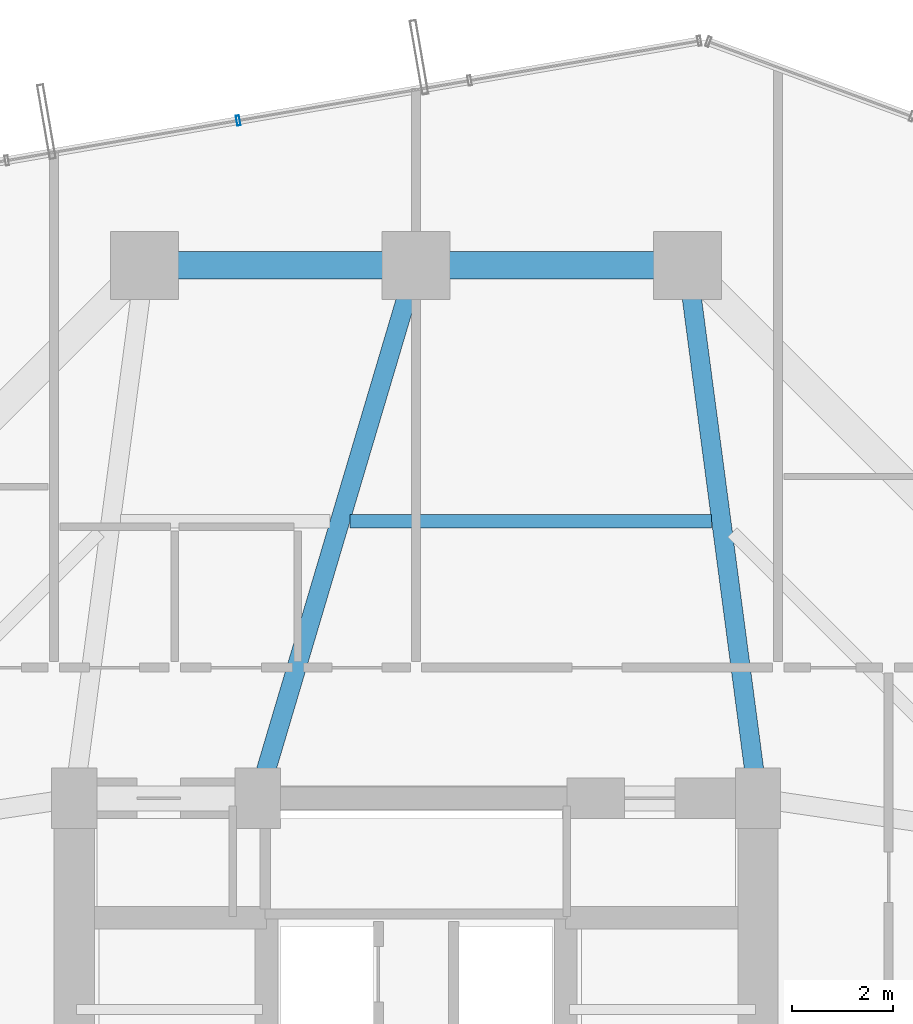
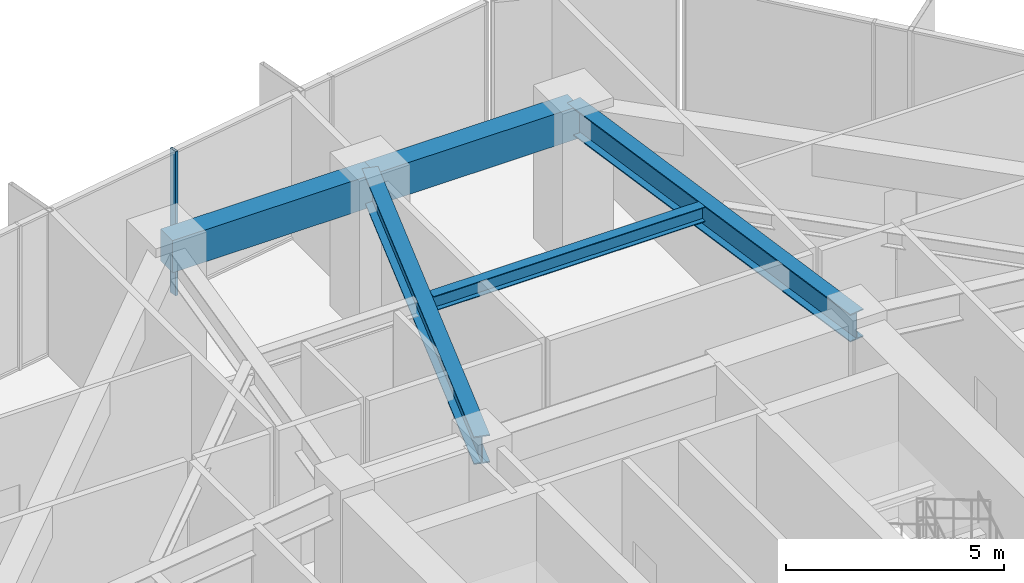
# One storey, part 23 of 35: 5 beams, 1 member, 1 element without a shape of its own.
"""IFC4 building model written with IfcOpenShell, lengths in metres."""

from ifc_helpers import new_model, si_unit, direction, frame, origin, origin_2d, place, context, subcontext, project, spatial, rectangle, hollow_rectangle, i_section, extrude, source, transform, mapped, material, layer, layer_set, material_profile, profile_set, type_object, element, aggregate, save


model = new_model("IFC4")

# Units and contexts
model_context = context("Model", 3, precision=1e-05, world=origin(), true_north=direction((0.0, 1.0)))
body_context = subcontext(model_context, "Body", "Model", "MODEL_VIEW")
ifc_project = project(units=[si_unit("LENGTHUNIT", "METRE"), si_unit("AREAUNIT", "SQUARE_METRE"), si_unit("VOLUMEUNIT", "CUBIC_METRE"), si_unit("PLANEANGLEUNIT", "RADIAN"), si_unit("MASSUNIT", "GRAM", prefix="KILO")], contexts=[model_context])

# Site, building, storey
site_placement = place(None, origin())
site = spatial("IfcSite", under=ifc_project, at=site_placement, CompositionType="ELEMENT")
building_placement = place(site_placement, origin())
building = spatial("IfcBuilding", under=site, at=building_placement, Name="Veraguas Prism Commons", CompositionType="ELEMENT")
storey_placement = place(building_placement, frame((0.0, 0.0, 56.550048828125)))
storey = spatial("IfcBuildingStorey", under=building, at=storey_placement, Name="L15", CompositionType="ELEMENT", Elevation=56.550048828125)

# Beams
ifc_material_1 = material(Name="Steel ASTM A992 Grade 50", Category="steel")
ifc_material_profile_1 = material_profile(ifc_material_1, i_section(OverallWidth=0.382080078125, OverallDepth=0.779052734375, WebThickness=0.01806640625, FlangeThickness=0.030029296875, at=origin_2d()), Name="W760X284")
ifc_profile_set_1 = profile_set([ifc_material_profile_1], Name="Steel ASTM A992 Grade 50")
beam_type_1 = type_object("IfcBeamType", Name="Assembly Primary Girder W760x284", PredefinedType="BEAM", material=ifc_profile_set_1)
beam_1_placement = place(storey_placement, frame((29.39990234375, 41.60009765625, 3.660400390625), z_axis=(0.130950648891, -0.991388888154, 0.0), x_axis=(0.991388888154, 0.130950648891, 0.0)))
element("IfcBeam", 1, at=beam_1_placement, inside=storey, type_object=beam_type_1, Name="Radial Floor Girder L15-RD04", PredefinedType="BEAM", context=body_context, shape_type="SweptSolid", body=[
    extrude(i_section(OverallWidth=0.382080078125, OverallDepth=0.779052734375, WebThickness=0.01806640625, FlangeThickness=0.030029296875, at=origin_2d()), origin(), (0.0, 0.0, 1.0), 10.692138671875),
])
beam_2_placement = place(storey_placement, frame((24.0, 41.60009765625, 3.660400390625), z_axis=(-0.28484745997, -0.958572858237, 0.0), x_axis=(0.958572858237, -0.28484745997, 0.0)))
element("IfcBeam", 2, at=beam_2_placement, inside=storey, type_object=beam_type_1, Name="Radial Floor Girder L15-RD05", PredefinedType="BEAM", context=body_context, shape_type="SweptSolid", body=[
    extrude(i_section(OverallWidth=0.382080078125, OverallDepth=0.779052734375, WebThickness=0.01806640625, FlangeThickness=0.030029296875, at=origin_2d()), origin(), (0.0, 0.0, 1.0), 11.05810546875),
])
ifc_material_profile_2 = material_profile(ifc_material_1, i_section(OverallWidth=0.260986328125, OverallDepth=0.419921875, WebThickness=0.01171875, FlangeThickness=0.019287109375, at=origin_2d()), Name="W410X114")
ifc_profile_set_2 = profile_set([ifc_material_profile_2], Name="Steel ASTM A992 Grade 50")
beam_type_2 = type_object("IfcBeamType", Name="Lower Floor Joist W410x114", PredefinedType="JOIST", material=ifc_profile_set_2)
beam_3_placement = place(storey_placement, frame((29.88134765625, 36.511962890625, 3.83984375), z_axis=(-1.0, 0.0, 0.0), x_axis=(0.0, -1.0, 0.0)))
element("IfcBeam", 3, at=beam_3_placement, inside=storey, type_object=beam_type_2, Name="Composite Floor Joist L15-JS04", PredefinedType="JOIST", context=body_context, shape_type="SweptSolid", body=[
    extrude(i_section(OverallWidth=0.260986328125, OverallDepth=0.419921875, WebThickness=0.01171875, FlangeThickness=0.019287109375, at=origin_2d()), origin(), (0.0, 0.0, 1.0), 7.196044921875),
])
ifc_material_2 = material(Name="Concrete C50/60", Category="concrete")
ifc_material_profile_3 = material_profile(ifc_material_2, rectangle(XDim=0.550048828125, YDim=0.89990234375, at=origin_2d()), Name="RC550X900")
ifc_profile_set_3 = profile_set([ifc_material_profile_3], Name="Concrete C50/60")
beam_type_3 = type_object("IfcBeamType", Name="Perimeter Spandrel Lower RC 550x900", PredefinedType="SPANDREL", material=ifc_profile_set_3)
for number, where, z_axis, x_axis, name in (
    (4, (29.39990234375, 41.60009765625, 3.599853515625), (-1.0, 0.0, 0.0), (0.0, -1.0, 0.0), "Perimeter Spandrel Beam L15-SP04"),
    (5, (24.0, 41.60009765625, 3.599853515625), (-1.0, 0.0, 0.0), (0.0, -1.0, 0.0), "Perimeter Spandrel Beam L15-SP05"),
):
    element("IfcBeam", number, at=place(storey_placement, frame(where, z_axis=z_axis, x_axis=x_axis)), inside=storey, type_object=beam_type_3, Name=name, PredefinedType="SPANDREL", context=body_context, shape_type="SweptSolid", body=[
        extrude(rectangle(XDim=0.550048828125, YDim=0.89990234375, at=origin_2d()), origin(), (0.0, 0.0, 1.0), 5.39990234375),
    ])

# Curtain wall, member
ifc_material_3 = material(Name="Anodised aluminium EN AW-6063 T6", Category="aluminium")
ifc_layer = layer(ifc_material_3, 0.199951171875, Name="Sky Lobby and Pool Acoustic Curtain Wall", Category="aluminium")
ifc_layer_set = layer_set([ifc_layer], Name="Anodised aluminium EN AW-6063 T6")
curtain_wall_type = type_object("IfcCurtainWallType", Name="Sky Lobby and Pool Acoustic Curtain Wall", PredefinedType="NOTDEFINED", material=ifc_layer_set)
curtain_wall_placement = place(storey_placement, origin())
curtain_wall = element("IfcCurtainWall", 6, at=curtain_wall_placement, inside=storey, type_object=curtain_wall_type, Name="Tower Facade Curtain Wall L15-F2", PredefinedType="NOTDEFINED")
ifc_material_profile_4 = material_profile(ifc_material_3, hollow_rectangle(XDim=0.06494140625, YDim=0.199951171875, WallThickness=0.00390625, at=origin_2d()), Name="AL65X200X4")
ifc_profile_set_4 = profile_set([ifc_material_profile_4], Name="Anodised aluminium EN AW-6063 T6")
member_type = type_object("IfcMemberType", Name="Curtain Wall Mullion Heavy AL 65x200x4", PredefinedType="MULLION", material=ifc_profile_set_4)
shared_shape = source(origin(), body_context, "Body", "SweptSolid", [
    extrude(hollow_rectangle(XDim=0.06494140625, YDim=0.199951171875, WallThickness=0.00390625, at=origin_2d()), origin(), (0.0, 0.0, 1.0), 4.050048828125),
])
member_placement = place(storey_placement, frame((20.462158203125, 44.481201171875, 0.0), z_axis=(0.0, 0.0, 1.0), x_axis=(-0.985407898483, -0.170209499166, 0.0)))
member = element("IfcMember", 7, at=member_placement, type_object=member_type, Name="CW-SKY Mullion 3", PredefinedType="MULLION", context=body_context, shape_type="MappedRepresentation", body=[
    mapped(shared_shape, transform((0.0, 0.0, 0.0), scale=1.0)),
])
aggregate(curtain_wall, [member])

save(model, "model.ifc")
